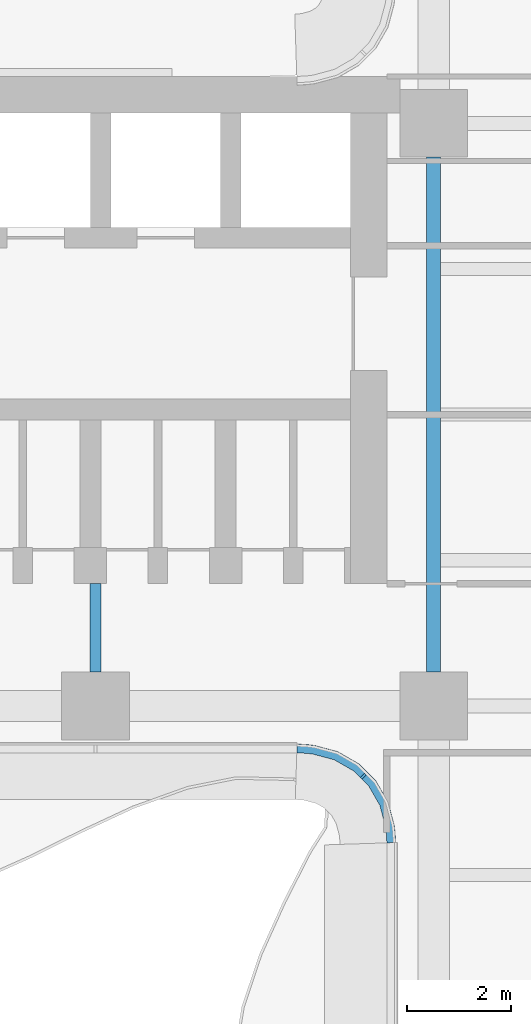
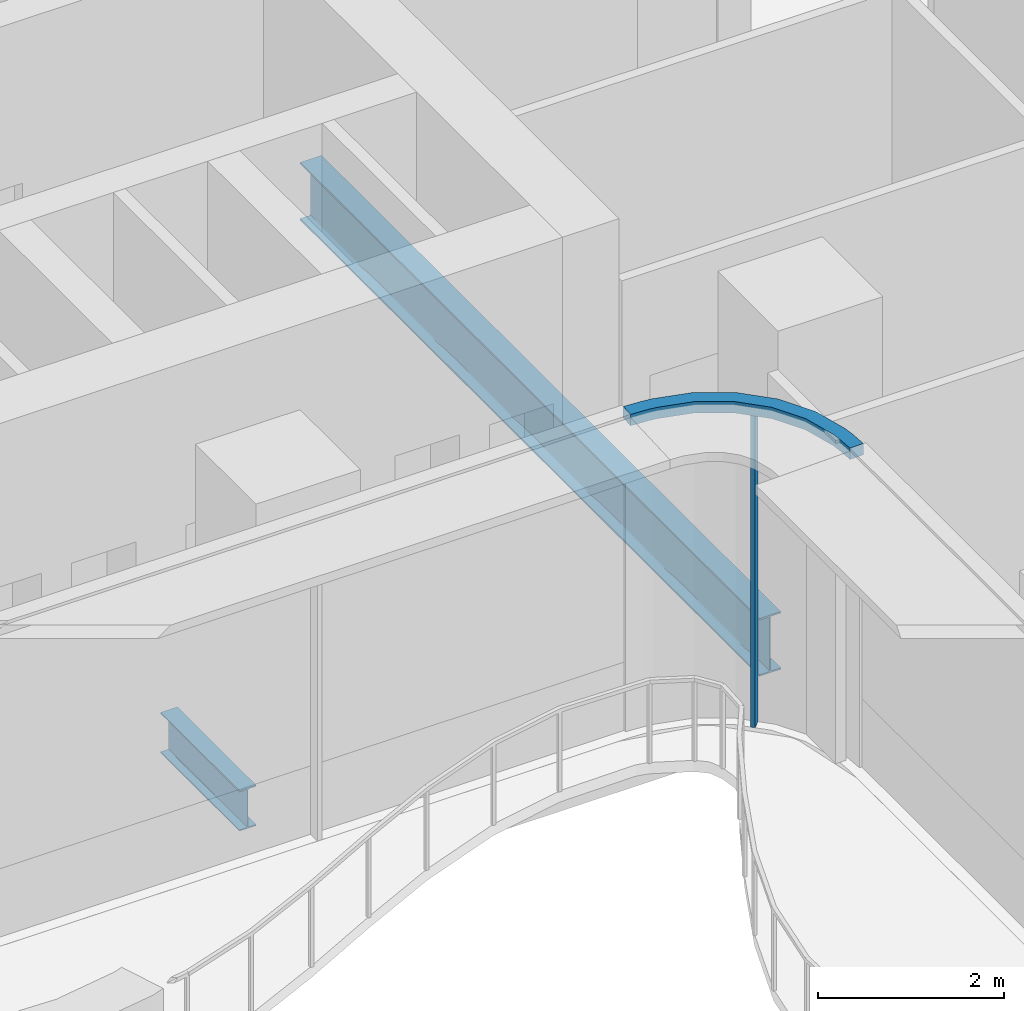
# One storey, part 4 of 23: 2 beams, 2 members, 1 element without a shape of its own.
"""IFC4 building model written with IfcOpenShell, lengths in metres."""

from ifc_helpers import new_model, si_unit, direction, frame, origin, origin_2d, place, context, subcontext, project, spatial, polyline, rectangle, i_section, outline, extrude, source, transform, mapped, material, layer, layer_set, material_profile, profile_set, type_object, element, aggregate, save


model = new_model("IFC4")

# Units and contexts
model_context = context("Model", 3, precision=1e-05, world=origin(), true_north=direction((0.0, 1.0)))
body_context = subcontext(model_context, "Body", "Model", "MODEL_VIEW")
ifc_project = project(units=[si_unit("LENGTHUNIT", "METRE"), si_unit("AREAUNIT", "SQUARE_METRE"), si_unit("VOLUMEUNIT", "CUBIC_METRE"), si_unit("PLANEANGLEUNIT", "RADIAN"), si_unit("MASSUNIT", "GRAM", prefix="KILO")], contexts=[model_context])

# Site, building, storey
site_placement = place(None, origin())
site = spatial("IfcSite", under=ifc_project, at=site_placement, CompositionType="ELEMENT")
building_placement = place(site_placement, origin())
building = spatial("IfcBuilding", under=site, at=building_placement, Name="Trellis Farm Tower", CompositionType="ELEMENT")
storey_placement = place(building_placement, frame((0.0, 0.0, 111.0)))
storey = spatial("IfcBuildingStorey", under=building, at=storey_placement, Name="L23", CompositionType="ELEMENT", Elevation=111.0)

# Beams
ifc_material_1 = material(Name="Steel S355", Category="steel")
ifc_material_profile_1 = material_profile(ifc_material_1, i_section(OverallWidth=0.2666015625, OverallDepth=0.76220703125, WebThickness=0.014404296875, FlangeThickness=0.021484375, FilletRadius=0.0166015625, at=origin_2d()), Name="UB 762x267x173")
ifc_profile_set_1 = profile_set([ifc_material_profile_1], Name="Steel S355")
beam_type_1 = type_object("IfcBeamType", Name="UB 762x267x173", PredefinedType="BEAM", material=ifc_profile_set_1)
shared_shape_1 = source(origin(), body_context, "Body", "SweptSolid", [
    extrude(i_section(OverallWidth=0.2666015625, OverallDepth=0.76220703125, WebThickness=0.014404296875, FlangeThickness=0.021484375, FilletRadius=0.0166015625, at=origin_2d()), origin(), (0.0, 0.0, 1.0), 9.89990234375),
])
beam_1_placement = place(storey_placement, frame((-5.60009765625, -4.949951171875, -0.631103515625), z_axis=(0.0, 1.0, 0.0), x_axis=(-1.0, 0.0, 0.0)))
element("IfcBeam", 1, at=beam_1_placement, inside=storey, type_object=beam_type_1, Name="Girder", PredefinedType="BEAM", context=body_context, shape_type="MappedRepresentation", body=[
    mapped(shared_shape_1, transform((0.0, 0.0, 0.0))),
])
ifc_material_profile_2 = material_profile(ifc_material_1, i_section(OverallWidth=0.209228515625, OverallDepth=0.533203125, WebThickness=0.010009765625, FlangeThickness=0.015625, FilletRadius=0.0126953125, at=origin_2d()), Name="UB 533x210x92")
ifc_profile_set_2 = profile_set([ifc_material_profile_2], Name="Steel S355")
beam_type_2 = type_object("IfcBeamType", Name="UB 533x210x92", PredefinedType="BEAM", material=ifc_profile_set_2)
shared_shape_2 = source(origin(), body_context, "Body", "SweptSolid", [
    extrude(i_section(OverallWidth=0.209228515625, OverallDepth=0.533203125, WebThickness=0.010009765625, FlangeThickness=0.015625, FilletRadius=0.0126953125, at=origin_2d()), origin(), (0.0, 0.0, 1.0), 1.699951171875),
])
beam_2_placement = place(storey_placement, frame((-12.10009765625, -4.949951171875, -0.5166015625), z_axis=(0.0, 1.0, 0.0), x_axis=(-1.0, 0.0, 0.0)))
element("IfcBeam", 2, at=beam_2_placement, inside=storey, type_object=beam_type_2, Name="Girder", PredefinedType="BEAM", context=body_context, shape_type="MappedRepresentation", body=[
    mapped(shared_shape_2, transform((0.0, 0.0, 0.0))),
])

# Curtain wall, members
ifc_material_2 = material(Name="Aluminium and glass curtain wall", Category="aluminium")
ifc_layer_1 = layer(ifc_material_2, 0.166015625)
ifc_layer_set_1 = layer_set([ifc_layer_1], Name="WINTER GARDEN CURTAIN WALL CW3")
curtain_wall_type = type_object("IfcCurtainWallType", Name="WINTER GARDEN CURTAIN WALL CW3", PredefinedType="NOTDEFINED", material=ifc_layer_set_1)
curtain_wall_placement = place(storey_placement, origin())
curtain_wall = element("IfcCurtainWall", 3, at=curtain_wall_placement, inside=storey, type_object=curtain_wall_type, Name="CW3 001", PredefinedType="NOTDEFINED")
ifc_material_3 = material(Name="Aluminium extrusion 6063-T6", Category="aluminium")
ifc_material_profile_3 = material_profile(ifc_material_3, rectangle(XDim=0.050048828125, YDim=0.1201171875, at=origin_2d()), Name="MULLION 50x120")
ifc_profile_set_3 = profile_set([ifc_material_profile_3], Name="Aluminium extrusion 6063-T6")
member_type_1 = type_object("IfcMemberType", Name="CW3 MULLION 50x120", PredefinedType="MULLION", material=ifc_profile_set_3)
shared_shape_3 = source(origin(), body_context, "Body", "SweptSolid", [
    extrude(rectangle(XDim=0.050048828125, YDim=0.1201171875, at=origin_2d()), origin(), (0.0, 0.0, 1.0), 4.10009765625),
])
member_1_placement = place(storey_placement, frame((-6.953125, -6.953125, 0.0), z_axis=(0.0, 0.0, 1.0), x_axis=(0.707106781187, -0.707106781187, 0.0)))
member_1 = element("IfcMember", 4, at=member_1_placement, type_object=member_type_1, Name="MU3 001-01", PredefinedType="MULLION", context=body_context, shape_type="MappedRepresentation", body=[
    mapped(shared_shape_3, transform((0.0, 0.0, 0.0))),
])
ifc_layer_2 = layer(ifc_material_3, 0.169921875)
ifc_layer_set_2 = layer_set([ifc_layer_2], Name="Aluminium extrusion 6063-T6")
member_type_2 = type_object("IfcMemberType", Name="CW3 TRANSOM 170x150", PredefinedType="USERDEFINED", material=ifc_layer_set_2)
shared_shape_4 = source(origin(), body_context, "Body", "SweptSolid", [
    extrude(outline(polyline([(-8.2314453125, -6.5), (-8.01953125, -6.513916015625), (-7.91552734375, -6.527587890625), (-7.508544921875, -6.63671875), (-7.144287109375, -6.846923828125), (-6.846923828125, -7.144287109375), (-6.63671875, -7.508544921875), (-6.527587890625, -7.91552734375), (-6.513916015625, -8.01953125), (-6.5, -8.2314453125), (-6.330078125, -8.225830078125), (-6.3447265625, -8.0029296875), (-6.360595703125, -7.88232421875), (-6.478271484375, -7.44287109375), (-6.7109375, -7.0400390625), (-7.0400390625, -6.7109375), (-7.44287109375, -6.478271484375), (-7.88232421875, -6.360595703125), (-8.0029296875, -6.3447265625), (-8.225830078125, -6.330078125), (-8.2314453125, -6.5)])), origin(), (0.0, 0.0, 1.0), 0.14990234375),
])
member_2_placement = place(storey_placement, frame((0.0, 0.0, 4.10009765625)))
member_2 = element("IfcMember", 5, at=member_2_placement, type_object=member_type_2, Name="TR3 001", ObjectType="TRANSOM", PredefinedType="USERDEFINED", context=body_context, shape_type="MappedRepresentation", body=[
    mapped(shared_shape_4, transform((0.0, 0.0, 0.0))),
])
aggregate(curtain_wall, [member_1, member_2])

save(model, "model.ifc")
